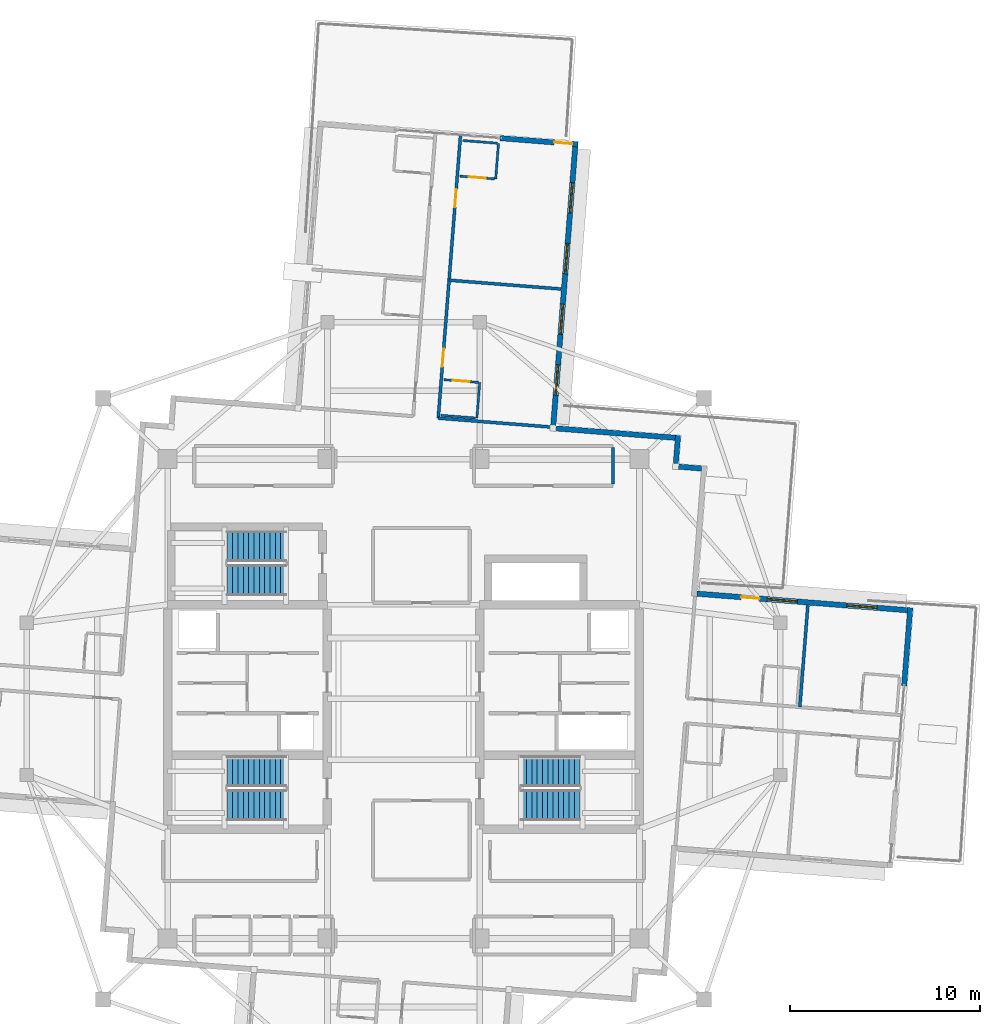
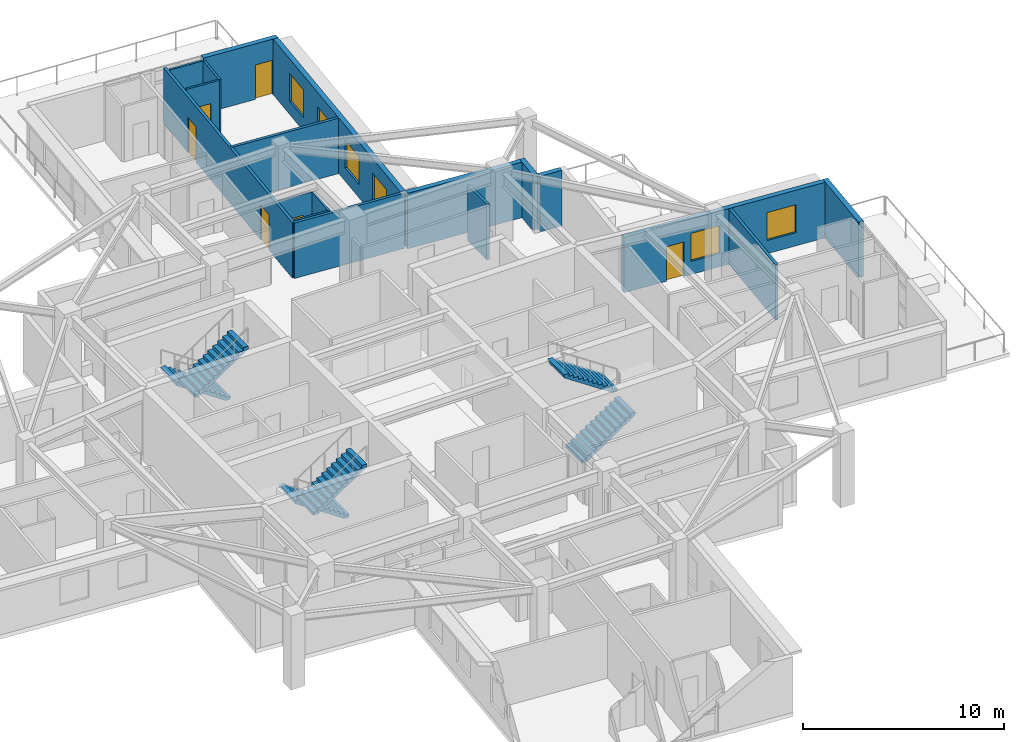
# One storey, part 18 of 23: 18 walls, 6 doors, 6 stair flights, 6 windows, 12 openings, 3 elements without a shape of their own.
"""IFC4 building model written with IfcOpenShell, lengths in metres."""

from ifc_helpers import new_model, si_unit, direction, frame, frame_2d, origin, place, context, subcontext, project, spatial, polyline, rectangle, outline, extrude, material, layer, layer_set, type_object, element, fill, aggregate, save


model = new_model("IFC4")

# Units and contexts
model_context = context("Model", 3, precision=1e-05, world=origin(), true_north=direction((0.0, 1.0)))
body_context = subcontext(model_context, "Body", "Model", "MODEL_VIEW")
ifc_project = project(units=[si_unit("LENGTHUNIT", "METRE"), si_unit("AREAUNIT", "SQUARE_METRE"), si_unit("VOLUMEUNIT", "CUBIC_METRE"), si_unit("PLANEANGLEUNIT", "RADIAN"), si_unit("MASSUNIT", "GRAM", prefix="KILO")], contexts=[model_context])

# Site, building, storey
site_placement = place(None, origin())
site = spatial("IfcSite", under=ifc_project, at=site_placement, CompositionType="ELEMENT")
building_placement = place(site_placement, origin())
building = spatial("IfcBuilding", under=site, at=building_placement, Name="Qingluan Cross Belvedere", CompositionType="ELEMENT")
storey_placement = place(building_placement, frame((0.0, 0.0, 245.39990234375)))
storey = spatial("IfcBuildingStorey", under=building, at=storey_placement, Name="L61", CompositionType="ELEMENT", Elevation=245.39990234375)

# Walls
ifc_material_1 = material(Name="Gypsum plasterboard on steel stud acoustic partition", Category="steel")
ifc_layer_1 = layer(ifc_material_1, 0.159912109375, Name="CorridorPartition_160")
ifc_layer_set_1 = layer_set([ifc_layer_1], Name="Gypsum plasterboard on steel stud acoustic partition")
wall_type_1 = type_object("IfcWallType", Name="CorridorPartition_160", PredefinedType="PARTITIONING", material=ifc_layer_set_1)
wall_1_placement = place(storey_placement, frame((11.0, 11.284912109375, 0.0), z_axis=(0.0, 0.0, 1.0), x_axis=(0.0, 1.0, 0.0)))
element("IfcWall", 1, at=wall_1_placement, inside=storey, type_object=wall_type_1, Name="Partition L61:q_ne:E", PredefinedType="PARTITIONING", context=body_context, shape_type="SweptSolid", body=[
    extrude(rectangle(XDim=1.93017578125, YDim=0.159912109375, at=frame_2d((0.965087890625, 0.0))), origin(), (0.0, 0.0, 1.0), 3.3701171875),
])
wall_2_placement = place(storey_placement, frame((20.830078125, -0.435546875, 0.0), z_axis=(0.0, 0.0, 1.0), x_axis=(0.078440999993, 0.996918757733, 0.0)))
element("IfcWall", 2, at=wall_2_placement, inside=storey, type_object=wall_type_1, Name="Partition L61:E:d0_0", PredefinedType="PARTITIONING", context=body_context, shape_type="SweptSolid", body=[
    extrude(rectangle(XDim=5.3720703125, YDim=0.159912109375, at=frame_2d((2.68603515625, 0.0))), origin(), (0.0, 0.0, 1.0), 3.3701171875),
])

# Wall, openings, doors
wall_3_placement = place(storey_placement, frame((1.822998046875, 14.75244140625, 0.0), z_axis=(0.0, 0.0, 1.0), x_axis=(0.078458290353, 0.996917397117, 0.0)))
wall_3 = element("IfcWall", 3, at=wall_3_placement, inside=storey, type_object=wall_type_1, Name="Partition L61:N:c0", PredefinedType="PARTITIONING", context=body_context, shape_type="SweptSolid", body=[
    extrude(rectangle(XDim=14.93017578125, YDim=0.159912109375, at=frame_2d((7.465087890625, 0.0))), origin(), (0.0, 0.0, 1.0), 3.3701171875),
])
opening_1_placement = place(wall_3_placement, frame((2.70703125, 0.0, 0.0)))
opening_1 = element("IfcOpeningElement", 4, at=opening_1_placement, cuts=wall_3, Name="Opening GD-10", PredefinedType="OPENING", context=body_context, shape_type="SweptSolid", body=[
    extrude(rectangle(XDim=0.9599609375, YDim=2.14990234375, at=frame_2d((0.47998046875, 1.074951171875))), frame((0.0, 0.08984375, 0.0), z_axis=(0.0, -1.0, 0.0), x_axis=(1.0, 0.0, 0.0)), (0.0, 0.0, 1.0), 0.179931640625),
])
opening_2_placement = place(wall_3_placement, frame((11.115966796875, 0.0, 0.0)))
opening_2 = element("IfcOpeningElement", 5, at=opening_2_placement, cuts=wall_3, Name="Opening GD-10", PredefinedType="OPENING", context=body_context, shape_type="SweptSolid", body=[
    extrude(rectangle(XDim=0.9599609375, YDim=2.14990234375, at=frame_2d((0.47998046875, 1.074951171875))), frame((0.0, 0.08984375, 0.0), z_axis=(0.0, -1.0, 0.0), x_axis=(1.0, 0.0, 0.0)), (0.0, 0.0, 1.0), 0.179931640625),
])
ifc_material_2 = material(Name="Timber oak fire-rated acoustic guestroom door", Category="wood")
door_type_1 = type_object("IfcDoorType", Name="GuestEntryDoor_FD60", OperationType="NOTDEFINED", PredefinedType="DOOR", material=ifc_material_2)
door_1_placement = place(opening_1_placement, origin())
door_1 = element("IfcDoor", 6, at=door_1_placement, inside=storey, type_object=door_type_1, Name="Guest entry fire door 6109", OperationType="SINGLE_SWING_RIGHT", OverallHeight=2.14990234375, OverallWidth=0.9599609375, PredefinedType="DOOR", context=body_context, shape_type="SweptSolid", body=[
    extrude(rectangle(XDim=0.9599609375, YDim=2.14990234375, at=frame_2d((0.47998046875, 1.074951171875))), frame((0.0, 0.02490234375, 0.0), z_axis=(0.0, -1.0, 0.0), x_axis=(1.0, 0.0, 0.0)), (0.0, 0.0, 1.0), 0.050048828125),
])
fill(opening_1, door_1)
door_2_placement = place(opening_2_placement, origin())
door_2 = element("IfcDoor", 7, at=door_2_placement, inside=storey, type_object=door_type_1, Name="Guest entry fire door 6110", OperationType="SINGLE_SWING_RIGHT", OverallHeight=2.14990234375, OverallWidth=0.9599609375, PredefinedType="DOOR", context=body_context, shape_type="SweptSolid", body=[
    extrude(rectangle(XDim=0.9599609375, YDim=2.14990234375, at=frame_2d((0.47998046875, 1.074951171875))), frame((0.0, 0.02490234375, 0.0), z_axis=(0.0, -1.0, 0.0), x_axis=(1.0, 0.0, 0.0)), (0.0, 0.0, 1.0), 0.050048828125),
])
fill(opening_2, door_2)

# Walls
wall_4_placement = place(storey_placement, frame((1.822998046875, 14.75244140625, 0.0), z_axis=(0.0, 0.0, 1.0), x_axis=(0.996919074253, -0.078436977191, 0.0)))
element("IfcWall", 8, at=wall_4_placement, inside=storey, type_object=wall_type_1, Name="Partition L61:N:s0", PredefinedType="PARTITIONING", context=body_context, shape_type="SweptSolid", body=[
    extrude(rectangle(XDim=6.06005859375, YDim=0.159912109375, at=frame_2d((3.030029296875, 0.0))), origin(), (0.0, 0.0, 1.0), 3.3701171875),
])
wall_5_placement = place(storey_placement, frame((2.393798828125, 22.00390625, 0.0), z_axis=(0.0, 0.0, 1.0), x_axis=(0.996920362457, -0.078420602639, 0.0)))
element("IfcWall", 9, at=wall_5_placement, inside=storey, type_object=wall_type_1, Name="Partition L61:N:d0_0", PredefinedType="PARTITIONING", context=body_context, shape_type="SweptSolid", body=[
    extrude(rectangle(XDim=5.912109375, YDim=0.159912109375, at=frame_2d((2.9560546875, 0.0))), origin(), (0.0, 0.0, 1.0), 3.3701171875),
])

# Wall, opening, door
ifc_material_3 = material(Name="Moisture-resistant gypsum board lining")
ifc_layer_2 = layer(ifc_material_3, 0.1201171875, Name="EnsuiteWetPartition_120")
ifc_layer_set_2 = layer_set([ifc_layer_2], Name="Moisture-resistant gypsum board lining")
wall_type_2 = type_object("IfcWallType", Name="EnsuiteWetPartition_120", PredefinedType="PARTITIONING", material=ifc_layer_set_2)
wall_6_placement = place(storey_placement, frame((2.122802734375, 16.775146484375, 0.0), z_axis=(0.0, 0.0, 1.0), x_axis=(0.996915574626, -0.078481444107, 0.0)))
wall_6 = element("IfcWall", 10, at=wall_6_placement, inside=storey, type_object=wall_type_2, Name="Partition L61:N:bs0_0", PredefinedType="PARTITIONING", context=body_context, shape_type="SweptSolid", body=[
    extrude(rectangle(XDim=1.81982421875, YDim=0.1201171875, at=frame_2d((0.909912109375, 0.0))), origin(), (0.0, 0.0, 1.0), 3.3701171875),
])
opening_3_placement = place(wall_6_placement, frame((0.469970703125, 0.0, 0.0)))
opening_3 = element("IfcOpeningElement", 11, at=opening_3_placement, cuts=wall_6, Name="Opening BD-09", PredefinedType="OPENING", context=body_context, shape_type="SweptSolid", body=[
    extrude(rectangle(XDim=0.8798828125, YDim=2.10009765625, at=frame_2d((0.43994140625, 1.050048828125))), frame((0.0, 0.070068359375, 0.0), z_axis=(0.0, -1.0, 0.0), x_axis=(1.0, 0.0, 0.0)), (0.0, 0.0, 1.0), 0.14013671875),
])
ifc_material_4 = material(Name="Moisture-sealed timber en-suite door", Category="wood")
door_type_2 = type_object("IfcDoorType", Name="BathroomDoor_880", OperationType="NOTDEFINED", PredefinedType="DOOR", material=ifc_material_4)
door_3_placement = place(opening_3_placement, origin())
door_3 = element("IfcDoor", 12, at=door_3_placement, inside=storey, type_object=door_type_2, Name="Bathroom door 6109", OperationType="SINGLE_SWING_LEFT", OverallHeight=2.10009765625, OverallWidth=0.8798828125, PredefinedType="DOOR", context=body_context, shape_type="SweptSolid", body=[
    extrude(rectangle(XDim=0.8798828125, YDim=2.10009765625, at=frame_2d((0.43994140625, 1.050048828125))), frame((0.0, 0.02490234375, 0.0), z_axis=(0.0, -1.0, 0.0), x_axis=(1.0, 0.0, 0.0)), (0.0, 0.0, 1.0), 0.050048828125),
])
fill(opening_3, door_3)

# Walls
wall_7_placement = place(storey_placement, frame((1.97509765625, 14.90087890625, 0.0), z_axis=(0.0, 0.0, 1.0), x_axis=(0.996926885478, -0.078337634704, 0.0)))
element("IfcWall", 13, at=wall_7_placement, inside=storey, type_object=wall_type_2, Name="Partition L61:N:bw0_0", PredefinedType="PARTITIONING", context=body_context, shape_type="SweptSolid", body=[
    extrude(rectangle(XDim=1.820068359375, YDim=0.1201171875, at=frame_2d((0.91015625, 0.0))), origin(), (0.0, 0.0, 1.0), 3.3701171875),
])
wall_8_placement = place(storey_placement, frame((3.8544921875, 14.753173828125, 0.0), z_axis=(0.0, 0.0, 1.0), x_axis=(0.078444342213, 0.99691849475, 0.0)))
element("IfcWall", 14, at=wall_8_placement, inside=storey, type_object=wall_type_2, Name="Partition L61:N:bn0_0", PredefinedType="PARTITIONING", context=body_context, shape_type="SweptSolid", body=[
    extrude(rectangle(XDim=1.8798828125, YDim=0.1201171875, at=frame_2d((0.93994140625, 0.0))), origin(), (0.0, 0.0, 1.0), 3.3701171875),
])

# Wall, opening, door
wall_9_placement = place(storey_placement, frame((2.964599609375, 27.47216796875, 0.0), z_axis=(0.0, 0.0, 1.0), x_axis=(0.996916400774, -0.0784709492, 0.0)))
wall_9 = element("IfcWall", 15, at=wall_9_placement, inside=storey, type_object=wall_type_2, Name="Partition L61:N:bs0_1", PredefinedType="PARTITIONING", context=body_context, shape_type="SweptSolid", body=[
    extrude(rectangle(XDim=1.820068359375, YDim=0.1201171875, at=frame_2d((0.91015625, 0.0))), origin(), (0.0, 0.0, 1.0), 3.3701171875),
])
opening_4_placement = place(wall_9_placement, frame((0.469970703125, 0.0, 0.0)))
opening_4 = element("IfcOpeningElement", 16, at=opening_4_placement, cuts=wall_9, Name="Opening BD-09", PredefinedType="OPENING", context=body_context, shape_type="SweptSolid", body=[
    extrude(rectangle(XDim=0.8798828125, YDim=2.10009765625, at=frame_2d((0.43994140625, 1.050048828125))), frame((0.0, 0.070068359375, 0.0), z_axis=(0.0, -1.0, 0.0), x_axis=(1.0, 0.0, 0.0)), (0.0, 0.0, 1.0), 0.14013671875),
])
door_4_placement = place(opening_4_placement, origin())
door_4 = element("IfcDoor", 17, at=door_4_placement, inside=storey, type_object=door_type_2, Name="Bathroom door 6110", OperationType="SINGLE_SWING_LEFT", OverallHeight=2.10009765625, OverallWidth=0.8798828125, PredefinedType="DOOR", context=body_context, shape_type="SweptSolid", body=[
    extrude(rectangle(XDim=0.8798828125, YDim=2.10009765625, at=frame_2d((0.43994140625, 1.050048828125))), frame((0.0, 0.02490234375, 0.0), z_axis=(0.0, -1.0, 0.0), x_axis=(1.0, 0.0, 0.0)), (0.0, 0.0, 1.0), 0.050048828125),
])
fill(opening_4, door_4)

# Walls
wall_10_placement = place(storey_placement, frame((3.112060546875, 29.34619140625, 0.0), z_axis=(0.0, 0.0, 1.0), x_axis=(0.996926885478, -0.078337634704, 0.0)))
element("IfcWall", 18, at=wall_10_placement, inside=storey, type_object=wall_type_2, Name="Partition L61:N:bw0_1", PredefinedType="PARTITIONING", context=body_context, shape_type="SweptSolid", body=[
    extrude(rectangle(XDim=1.820068359375, YDim=0.1201171875, at=frame_2d((0.91015625, 0.0))), origin(), (0.0, 0.0, 1.0), 3.3701171875),
])
wall_11_placement = place(storey_placement, frame((4.84375, 27.32421875, 0.0), z_axis=(0.0, 0.0, 1.0), x_axis=(0.07843418698, 0.996919293781, 0.0)))
element("IfcWall", 19, at=wall_11_placement, inside=storey, type_object=wall_type_2, Name="Partition L61:N:bn0_1", PredefinedType="PARTITIONING", context=body_context, shape_type="SweptSolid", body=[
    extrude(rectangle(XDim=1.880126953125, YDim=0.1201171875, at=frame_2d((0.93994140625, 0.0))), origin(), (0.0, 0.0, 1.0), 3.3701171875),
])

# Wall, openings, windows, door
ifc_material_5 = material(Name="Precast concrete C45", Category="concrete")
ifc_layer_3 = layer(ifc_material_5, 0.280029296875, Name="PrecastFacadeWall_280")
ifc_layer_set_3 = layer_set([ifc_layer_3], Name="Precast concrete C45")
wall_type_3 = type_object("IfcWallType", Name="PrecastFacadeWall_280", PredefinedType="STANDARD", material=ifc_layer_set_3)
wall_12_placement = place(storey_placement, frame((26.487060546875, 4.65625, 0.0), z_axis=(0.0, 0.0, 1.0), x_axis=(-0.996917735529, 0.078453990262, 0.0)))
wall_12 = element("IfcWall", 20, at=wall_12_placement, inside=storey, type_object=wall_type_3, Name="Facade wall L61-EB", PredefinedType="STANDARD", context=body_context, shape_type="SweptSolid", body=[
    extrude(rectangle(XDim=11.10009765625, YDim=0.280029296875, at=frame_2d((5.550048828125, 0.0))), origin(), (0.0, 0.0, 1.0), 3.380126953125),
])
opening_5_placement = place(wall_12_placement, frame((1.60009765625, 0.0, 0.800048828125)))
opening_5 = element("IfcOpeningElement", 21, at=opening_5_placement, cuts=wall_12, Name="Opening W-04", PredefinedType="OPENING", context=body_context, shape_type="SweptSolid", body=[
    extrude(rectangle(XDim=1.60009765625, YDim=1.699951171875, at=frame_2d((0.800048828125, 0.85009765625))), frame((0.0, 0.14990234375, 0.0), z_axis=(0.0, -1.0, 0.0), x_axis=(1.0, 0.0, 0.0)), (0.0, 0.0, 1.0), 0.300048828125),
])
opening_6_placement = place(wall_12_placement, frame((5.800048828125, 0.0, 0.800048828125)))
opening_6 = element("IfcOpeningElement", 22, at=opening_6_placement, cuts=wall_12, Name="Opening W-04", PredefinedType="OPENING", context=body_context, shape_type="SweptSolid", body=[
    extrude(rectangle(XDim=1.60009765625, YDim=1.699951171875, at=frame_2d((0.800048828125, 0.85009765625))), frame((0.0, 0.14990234375, 0.0), z_axis=(0.0, -1.0, 0.0), x_axis=(1.0, 0.0, 0.0)), (0.0, 0.0, 1.0), 0.300048828125),
])
opening_7_placement = place(wall_12_placement, frame((7.800048828125, 0.0, 0.0)))
opening_7 = element("IfcOpeningElement", 23, at=opening_7_placement, cuts=wall_12, Name="Opening WD-10", PredefinedType="OPENING", context=body_context, shape_type="SweptSolid", body=[
    extrude(rectangle(XDim=0.9599609375, YDim=2.10009765625, at=frame_2d((0.47998046875, 1.050048828125))), frame((0.0, 0.14990234375, 0.0), z_axis=(0.0, -1.0, 0.0), x_axis=(1.0, 0.0, 0.0)), (0.0, 0.0, 1.0), 0.300048828125),
])
ifc_material_6 = material(Name="Thermally broken triple Low-E glass in aluminium frame", Category="aluminium")
window_type = type_object("IfcWindowType", Name="SuiteCornerWin_1600x1700", PartitioningType="SINGLE_PANEL", PredefinedType="WINDOW", material=ifc_material_6)
window_1_placement = place(opening_5_placement, origin())
window_1 = element("IfcWindow", 24, at=window_1_placement, inside=storey, type_object=window_type, Name="Ribbon window L61-EB-1", OverallHeight=1.699951171875, OverallWidth=1.60009765625, PartitioningType="SINGLE_PANEL", PredefinedType="WINDOW", context=body_context, shape_type="SweptSolid", body=[
    extrude(rectangle(XDim=1.60009765625, YDim=1.699951171875, at=frame_2d((0.800048828125, 0.85009765625))), frame((0.0, 0.030029296875, 0.0), z_axis=(0.0, -1.0, 0.0), x_axis=(1.0, 0.0, 0.0)), (0.0, 0.0, 1.0), 0.06005859375),
])
fill(opening_5, window_1)
window_2_placement = place(opening_6_placement, origin())
window_2 = element("IfcWindow", 25, at=window_2_placement, inside=storey, type_object=window_type, Name="Ribbon window L61-EB-2", OverallHeight=1.699951171875, OverallWidth=1.60009765625, PartitioningType="SINGLE_PANEL", PredefinedType="WINDOW", context=body_context, shape_type="SweptSolid", body=[
    extrude(rectangle(XDim=1.60009765625, YDim=1.699951171875, at=frame_2d((0.800048828125, 0.85009765625))), frame((0.0, 0.030029296875, 0.0), z_axis=(0.0, -1.0, 0.0), x_axis=(1.0, 0.0, 0.0)), (0.0, 0.0, 1.0), 0.06005859375),
])
fill(opening_6, window_2)
ifc_material_7 = material(Name="Thermally broken aluminium and Low-E glass", Category="aluminium")
door_type_3 = type_object("IfcDoorType", Name="WinterGardenDoor_096", OperationType="NOTDEFINED", PredefinedType="DOOR", material=ifc_material_7)
door_5_placement = place(opening_7_placement, origin())
door_5 = element("IfcDoor", 26, at=door_5_placement, inside=storey, type_object=door_type_3, Name="Outdoor terrace access door L61-spi", OperationType="SINGLE_SWING_RIGHT", OverallHeight=2.10009765625, OverallWidth=0.9599609375, PredefinedType="DOOR", context=body_context, shape_type="SweptSolid", body=[
    extrude(rectangle(XDim=0.9599609375, YDim=2.10009765625, at=frame_2d((0.47998046875, 1.050048828125))), frame((0.0, 0.02490234375, 0.0), z_axis=(0.0, -1.0, 0.0), x_axis=(1.0, 0.0, 0.0)), (0.0, 0.0, 1.0), 0.050048828125),
])
fill(opening_7, door_5)

# Wall
wall_13_placement = place(storey_placement, frame((26.314697265625, 0.681396484375, 0.0), z_axis=(0.0, 0.0, 1.0), x_axis=(0.078410859845, 0.996921128805, 0.0)))
element("IfcWall", 27, at=wall_13_placement, inside=storey, type_object=wall_type_3, Name="Terrace portal jamb wall L61-E2", PredefinedType="STANDARD", context=body_context, shape_type="SweptSolid", body=[
    extrude(rectangle(XDim=4.1162109375, YDim=0.280029296875, at=frame_2d((2.05810546875, 0.0))), origin(), (0.0, 0.0, 1.0), 3.380126953125),
])

# Wall, openings, windows
wall_14_placement = place(storey_placement, frame((7.87158203125, 14.36669921875, 0.0), z_axis=(0.0, 0.0, 1.0), x_axis=(0.078456642068, 0.996917526837, 0.0)))
wall_14 = element("IfcWall", 28, at=wall_14_placement, inside=storey, type_object=wall_type_3, Name="Facade wall L61-NA", PredefinedType="STANDARD", context=body_context, shape_type="SweptSolid", body=[
    extrude(rectangle(XDim=14.7001953125, YDim=0.280029296875, at=frame_2d((7.35009765625, 0.0))), origin(), (0.0, 0.0, 1.0), 3.380126953125),
])
opening_8_placement = place(wall_14_placement, frame((1.60009765625, 0.0, 0.800048828125)))
opening_8 = element("IfcOpeningElement", 29, at=opening_8_placement, cuts=wall_14, Name="Opening W-04", PredefinedType="OPENING", context=body_context, shape_type="SweptSolid", body=[
    extrude(rectangle(XDim=1.60009765625, YDim=1.699951171875, at=frame_2d((0.800048828125, 0.85009765625))), frame((0.0, 0.14990234375, 0.0), z_axis=(0.0, -1.0, 0.0), x_axis=(1.0, 0.0, 0.0)), (0.0, 0.0, 1.0), 0.300048828125),
])
opening_9_placement = place(wall_14_placement, frame((4.800048828125, 0.0, 0.800048828125)))
opening_9 = element("IfcOpeningElement", 30, at=opening_9_placement, cuts=wall_14, Name="Opening W-04", PredefinedType="OPENING", context=body_context, shape_type="SweptSolid", body=[
    extrude(rectangle(XDim=1.60009765625, YDim=1.699951171875, at=frame_2d((0.800048828125, 0.85009765625))), frame((0.0, 0.14990234375, 0.0), z_axis=(0.0, -1.0, 0.0), x_axis=(1.0, 0.0, 0.0)), (0.0, 0.0, 1.0), 0.300048828125),
])
opening_10_placement = place(wall_14_placement, frame((8.0, 0.0, 0.800048828125)))
opening_10 = element("IfcOpeningElement", 31, at=opening_10_placement, cuts=wall_14, Name="Opening W-04", PredefinedType="OPENING", context=body_context, shape_type="SweptSolid", body=[
    extrude(rectangle(XDim=1.60009765625, YDim=1.699951171875, at=frame_2d((0.800048828125, 0.85009765625))), frame((0.0, 0.14990234375, 0.0), z_axis=(0.0, -1.0, 0.0), x_axis=(1.0, 0.0, 0.0)), (0.0, 0.0, 1.0), 0.300048828125),
])
opening_11_placement = place(wall_14_placement, frame((11.199951171875, 0.0, 0.800048828125)))
opening_11 = element("IfcOpeningElement", 32, at=opening_11_placement, cuts=wall_14, Name="Opening W-04", PredefinedType="OPENING", context=body_context, shape_type="SweptSolid", body=[
    extrude(rectangle(XDim=1.60009765625, YDim=1.699951171875, at=frame_2d((0.800048828125, 0.85009765625))), frame((0.0, 0.14990234375, 0.0), z_axis=(0.0, -1.0, 0.0), x_axis=(1.0, 0.0, 0.0)), (0.0, 0.0, 1.0), 0.300048828125),
])
window_3_placement = place(opening_8_placement, origin())
window_3 = element("IfcWindow", 33, at=window_3_placement, inside=storey, type_object=window_type, Name="Ribbon window L61-NA-1", OverallHeight=1.699951171875, OverallWidth=1.60009765625, PartitioningType="SINGLE_PANEL", PredefinedType="WINDOW", context=body_context, shape_type="SweptSolid", body=[
    extrude(rectangle(XDim=1.60009765625, YDim=1.699951171875, at=frame_2d((0.800048828125, 0.85009765625))), frame((0.0, 0.030029296875, 0.0), z_axis=(0.0, -1.0, 0.0), x_axis=(1.0, 0.0, 0.0)), (0.0, 0.0, 1.0), 0.06005859375),
])
fill(opening_8, window_3)
window_4_placement = place(opening_9_placement, origin())
window_4 = element("IfcWindow", 34, at=window_4_placement, inside=storey, type_object=window_type, Name="Ribbon window L61-NA-2", OverallHeight=1.699951171875, OverallWidth=1.60009765625, PartitioningType="SINGLE_PANEL", PredefinedType="WINDOW", context=body_context, shape_type="SweptSolid", body=[
    extrude(rectangle(XDim=1.60009765625, YDim=1.699951171875, at=frame_2d((0.800048828125, 0.85009765625))), frame((0.0, 0.030029296875, 0.0), z_axis=(0.0, -1.0, 0.0), x_axis=(1.0, 0.0, 0.0)), (0.0, 0.0, 1.0), 0.06005859375),
])
fill(opening_9, window_4)
window_5_placement = place(opening_10_placement, origin())
window_5 = element("IfcWindow", 35, at=window_5_placement, inside=storey, type_object=window_type, Name="Ribbon window L61-NA-3", OverallHeight=1.699951171875, OverallWidth=1.60009765625, PartitioningType="SINGLE_PANEL", PredefinedType="WINDOW", context=body_context, shape_type="SweptSolid", body=[
    extrude(rectangle(XDim=1.60009765625, YDim=1.699951171875, at=frame_2d((0.800048828125, 0.85009765625))), frame((0.0, 0.030029296875, 0.0), z_axis=(0.0, -1.0, 0.0), x_axis=(1.0, 0.0, 0.0)), (0.0, 0.0, 1.0), 0.06005859375),
])
fill(opening_10, window_5)
window_6_placement = place(opening_11_placement, origin())
window_6 = element("IfcWindow", 36, at=window_6_placement, inside=storey, type_object=window_type, Name="Ribbon window L61-NA-4", OverallHeight=1.699951171875, OverallWidth=1.60009765625, PartitioningType="SINGLE_PANEL", PredefinedType="WINDOW", context=body_context, shape_type="SweptSolid", body=[
    extrude(rectangle(XDim=1.60009765625, YDim=1.699951171875, at=frame_2d((0.800048828125, 0.85009765625))), frame((0.0, 0.030029296875, 0.0), z_axis=(0.0, -1.0, 0.0), x_axis=(1.0, 0.0, 0.0)), (0.0, 0.0, 1.0), 0.06005859375),
])
fill(opening_11, window_6)

# Wall, opening, door
wall_15_placement = place(storey_placement, frame((9.17529296875, 29.14990234375, 0.0), z_axis=(0.0, 0.0, 1.0), x_axis=(-0.996916125428, 0.078474447191, 0.0)))
wall_15 = element("IfcWall", 37, at=wall_15_placement, inside=storey, type_object=wall_type_3, Name="Terrace portal jamb wall L61-N1", PredefinedType="STANDARD", context=body_context, shape_type="SweptSolid", body=[
    extrude(rectangle(XDim=4.115966796875, YDim=0.280029296875, at=frame_2d((2.05810546875, 0.0))), origin(), (0.0, 0.0, 1.0), 3.380126953125),
])
opening_12_placement = place(wall_15_placement, frame((0.300048828125, 0.0, 0.0)))
opening_12 = element("IfcOpeningElement", 38, at=opening_12_placement, cuts=wall_15, Name="Opening TD-10", PredefinedType="OPENING", context=body_context, shape_type="SweptSolid", body=[
    extrude(rectangle(XDim=0.9599609375, YDim=2.10009765625, at=frame_2d((0.47998046875, 1.050048828125))), frame((0.0, 0.14990234375, 0.0), z_axis=(0.0, -1.0, 0.0), x_axis=(1.0, 0.0, 0.0)), (0.0, 0.0, 1.0), 0.300048828125),
])
ifc_material_8 = material(Name="Thermally broken aluminium and Low-E glass", Category="aluminium")
door_type_4 = type_object("IfcDoorType", Name="SetbackTerraceDoor_096", OperationType="NOTDEFINED", PredefinedType="DOOR", material=ifc_material_8)
door_6_placement = place(opening_12_placement, origin())
door_6 = element("IfcDoor", 39, at=door_6_placement, inside=storey, type_object=door_type_4, Name="Outdoor terrace access door L61-set2", OperationType="SINGLE_SWING_LEFT", OverallHeight=2.10009765625, OverallWidth=0.9599609375, PredefinedType="DOOR", context=body_context, shape_type="SweptSolid", body=[
    extrude(rectangle(XDim=0.9599609375, YDim=2.10009765625, at=frame_2d((0.47998046875, 1.050048828125))), frame((0.0, 0.02490234375, 0.0), z_axis=(0.0, -1.0, 0.0), x_axis=(1.0, 0.0, 0.0)), (0.0, 0.0, 1.0), 0.050048828125),
])
fill(opening_12, door_6)

# Walls
wall_16_placement = place(storey_placement, frame((15.658203125, 12.10888671875, 0.0), z_axis=(0.0, 0.0, 1.0), x_axis=(-0.996917540398, 0.078456469752, 0.0)))
element("IfcWall", 40, at=wall_16_placement, inside=storey, type_object=wall_type_3, Name="Corner wall L61-NE2", PredefinedType="STANDARD", context=body_context, shape_type="SweptSolid", body=[
    extrude(rectangle(XDim=1.2197265625, YDim=0.280029296875, at=frame_2d((0.60986328125, 0.0))), origin(), (0.0, 0.0, 1.0), 3.380126953125),
])
wall_17_placement = place(storey_placement, frame((14.3134765625, 12.35498046875, 0.0), z_axis=(0.0, 0.0, 1.0), x_axis=(0.078451338629, 0.9969179442, 0.0)))
element("IfcWall", 41, at=wall_17_placement, inside=storey, type_object=wall_type_3, Name="Corner wall L61-NE3", PredefinedType="STANDARD", context=body_context, shape_type="SweptSolid", body=[
    extrude(rectangle(XDim=1.5, YDim=0.280029296875, at=frame_2d((0.75, 0.0))), origin(), (0.0, 0.0, 1.0), 3.380126953125),
])
wall_18_placement = place(storey_placement, frame((14.280517578125, 13.721923828125, 0.0), z_axis=(0.0, 0.0, 1.0), x_axis=(-0.99691915642, 0.078435932851, 0.0)))
element("IfcWall", 42, at=wall_18_placement, inside=storey, type_object=wall_type_3, Name="Corner wall L61-NE4", PredefinedType="STANDARD", context=body_context, shape_type="SweptSolid", body=[
    extrude(rectangle(XDim=6.2998046875, YDim=0.280029296875, at=frame_2d((3.14990234375, 0.0))), origin(), (0.0, 0.0, 1.0), 3.380126953125),
])

# Stair, stair flights
ifc_material_9 = material(Name="Concrete C40", Category="concrete")
stair_type = type_object("IfcStairType", Name="CoreDoglegStair_1620", PredefinedType="HALF_TURN_STAIR", material=ifc_material_9)
stair_1_placement = place(storey_placement, origin())
stair_1 = element("IfcStair", 43, at=stair_1_placement, inside=storey, type_object=stair_type, Name="L61 ST1", PredefinedType="HALF_TURN_STAIR")
ifc_material_10 = material(Name="Concrete C40", Category="concrete")
ifc_layer_4 = layer(ifc_material_10, 0.179931640625, Name="StairFlight_RC180")
ifc_layer_set_4 = layer_set([ifc_layer_4], Name="Concrete C40")
stair_flight_type = type_object("IfcStairFlightType", Name="StairFlight_RC180", PredefinedType="STRAIGHT", material=ifc_layer_set_4)
stair_flight_1_placement = place(storey_placement, frame((-6.179931640625, -3.81005859375, 0.0), z_axis=(0.0, 0.0, 1.0), x_axis=(-1.0, 0.0, 0.0)))
stair_flight_1 = element("IfcStairFlight", 44, at=stair_flight_1_placement, type_object=stair_flight_type, Name="ST1 flight 1", NumberOfRisers=12, NumberOfTreads=11, PredefinedType="STRAIGHT", RiserHeight=0.1875, TreadLength=0.28, context=body_context, shape_type="SweptSolid", body=[
    extrude(outline(polyline([(0.0, 0.0), (0.0, 0.1875), (0.280029296875, 0.1875), (0.280029296875, 0.375), (0.56005859375, 0.375), (0.56005859375, 0.5625), (0.840087890625, 0.5625), (0.840087890625, 0.75), (1.1201171875, 0.75), (1.1201171875, 0.9375), (1.39990234375, 0.9375), (1.39990234375, 1.125), (1.679931640625, 1.125), (1.679931640625, 1.3125), (1.9599609375, 1.3125), (1.9599609375, 1.5), (2.239990234375, 1.5), (2.239990234375, 1.6875), (2.52001953125, 1.6875), (2.52001953125, 1.875), (2.800048828125, 1.875), (2.800048828125, 2.0625), (3.080078125, 2.0625), (3.080078125, 2.25), (3.080078125, 1.882080078125), (0.26953125, 0.0), (0.0, 0.0)])), frame((0.0, 0.81005859375, 0.0), z_axis=(0.0, -1.0, 0.0), x_axis=(1.0, 0.0, 0.0)), (0.0, 0.0, 1.0), 1.6201171875),
])
stair_flight_2_placement = place(storey_placement, frame((-9.260009765625, -5.590087890625, 2.25), z_axis=(0.0, 0.0, 1.0), x_axis=(1.0, 0.0, 0.0)))
stair_flight_2 = element("IfcStairFlight", 45, at=stair_flight_2_placement, type_object=stair_flight_type, Name="ST1 flight 2", NumberOfRisers=12, NumberOfTreads=11, PredefinedType="STRAIGHT", RiserHeight=0.1875, TreadLength=0.28, context=body_context, shape_type="SweptSolid", body=[
    extrude(outline(polyline([(0.0, 0.0), (0.0, 0.1875), (0.280029296875, 0.1875), (0.280029296875, 0.375), (0.56005859375, 0.375), (0.56005859375, 0.5625), (0.840087890625, 0.5625), (0.840087890625, 0.75), (1.1201171875, 0.75), (1.1201171875, 0.9375), (1.39990234375, 0.9375), (1.39990234375, 1.125), (1.679931640625, 1.125), (1.679931640625, 1.3125), (1.9599609375, 1.3125), (1.9599609375, 1.5), (2.239990234375, 1.5), (2.239990234375, 1.6875), (2.52001953125, 1.6875), (2.52001953125, 1.875), (2.800048828125, 1.875), (2.800048828125, 2.0625), (3.080078125, 2.0625), (3.080078125, 2.25), (3.080078125, 1.882080078125), (0.26953125, 0.0), (0.0, 0.0)])), frame((0.0, 0.81005859375, 0.0), z_axis=(0.0, -1.0, 0.0), x_axis=(1.0, 0.0, 0.0)), (0.0, 0.0, 1.0), 1.6201171875),
])
aggregate(stair_1, [stair_flight_1, stair_flight_2])

stair_2_placement = place(storey_placement, origin())
stair_2 = element("IfcStair", 46, at=stair_2_placement, inside=storey, type_object=stair_type, Name="L61 ST2", PredefinedType="HALF_TURN_STAIR")
stair_flight_3_placement = place(storey_placement, frame((6.179931640625, -5.590087890625, 0.0), z_axis=(0.0, 0.0, 1.0), x_axis=(1.0, 0.0, 0.0)))
stair_flight_3 = element("IfcStairFlight", 47, at=stair_flight_3_placement, type_object=stair_flight_type, Name="ST2 flight 1", NumberOfRisers=12, NumberOfTreads=11, PredefinedType="STRAIGHT", RiserHeight=0.1875, TreadLength=0.28, context=body_context, shape_type="SweptSolid", body=[
    extrude(outline(polyline([(0.0, 0.0), (0.0, 0.1875), (0.280029296875, 0.1875), (0.280029296875, 0.375), (0.56005859375, 0.375), (0.56005859375, 0.5625), (0.840087890625, 0.5625), (0.840087890625, 0.75), (1.1201171875, 0.75), (1.1201171875, 0.9375), (1.39990234375, 0.9375), (1.39990234375, 1.125), (1.679931640625, 1.125), (1.679931640625, 1.3125), (1.9599609375, 1.3125), (1.9599609375, 1.5), (2.239990234375, 1.5), (2.239990234375, 1.6875), (2.52001953125, 1.6875), (2.52001953125, 1.875), (2.800048828125, 1.875), (2.800048828125, 2.0625), (3.080078125, 2.0625), (3.080078125, 2.25), (3.080078125, 1.882080078125), (0.26953125, 0.0), (0.0, 0.0)])), frame((0.0, 0.81005859375, 0.0), z_axis=(0.0, -1.0, 0.0), x_axis=(1.0, 0.0, 0.0)), (0.0, 0.0, 1.0), 1.6201171875),
])
stair_flight_4_placement = place(storey_placement, frame((9.260009765625, -3.81005859375, 2.25), z_axis=(0.0, 0.0, 1.0), x_axis=(-1.0, 0.0, 0.0)))
stair_flight_4 = element("IfcStairFlight", 48, at=stair_flight_4_placement, type_object=stair_flight_type, Name="ST2 flight 2", NumberOfRisers=12, NumberOfTreads=11, PredefinedType="STRAIGHT", RiserHeight=0.1875, TreadLength=0.28, context=body_context, shape_type="SweptSolid", body=[
    extrude(outline(polyline([(0.0, 0.0), (0.0, 0.1875), (0.280029296875, 0.1875), (0.280029296875, 0.375), (0.56005859375, 0.375), (0.56005859375, 0.5625), (0.840087890625, 0.5625), (0.840087890625, 0.75), (1.1201171875, 0.75), (1.1201171875, 0.9375), (1.39990234375, 0.9375), (1.39990234375, 1.125), (1.679931640625, 1.125), (1.679931640625, 1.3125), (1.9599609375, 1.3125), (1.9599609375, 1.5), (2.239990234375, 1.5), (2.239990234375, 1.6875), (2.52001953125, 1.6875), (2.52001953125, 1.875), (2.800048828125, 1.875), (2.800048828125, 2.0625), (3.080078125, 2.0625), (3.080078125, 2.25), (3.080078125, 1.882080078125), (0.26953125, 0.0), (0.0, 0.0)])), frame((0.0, 0.81005859375, 0.0), z_axis=(0.0, -1.0, 0.0), x_axis=(1.0, 0.0, 0.0)), (0.0, 0.0, 1.0), 1.6201171875),
])
aggregate(stair_2, [stair_flight_3, stair_flight_4])

stair_3_placement = place(storey_placement, origin())
stair_3 = element("IfcStair", 49, at=stair_3_placement, inside=storey, type_object=stair_type, Name="L61 ST3", PredefinedType="HALF_TURN_STAIR")
stair_flight_5_placement = place(storey_placement, frame((-6.179931640625, 8.010009765625, 0.0), z_axis=(0.0, 0.0, 1.0), x_axis=(-1.0, 0.0, 0.0)))
stair_flight_5 = element("IfcStairFlight", 50, at=stair_flight_5_placement, type_object=stair_flight_type, Name="ST3 flight 1", NumberOfRisers=12, NumberOfTreads=11, PredefinedType="STRAIGHT", RiserHeight=0.1875, TreadLength=0.28, context=body_context, shape_type="SweptSolid", body=[
    extrude(outline(polyline([(0.0, 0.0), (0.0, 0.1875), (0.280029296875, 0.1875), (0.280029296875, 0.375), (0.56005859375, 0.375), (0.56005859375, 0.5625), (0.840087890625, 0.5625), (0.840087890625, 0.75), (1.1201171875, 0.75), (1.1201171875, 0.9375), (1.39990234375, 0.9375), (1.39990234375, 1.125), (1.679931640625, 1.125), (1.679931640625, 1.3125), (1.9599609375, 1.3125), (1.9599609375, 1.5), (2.239990234375, 1.5), (2.239990234375, 1.6875), (2.52001953125, 1.6875), (2.52001953125, 1.875), (2.800048828125, 1.875), (2.800048828125, 2.0625), (3.080078125, 2.0625), (3.080078125, 2.25), (3.080078125, 1.882080078125), (0.26953125, 0.0), (0.0, 0.0)])), frame((0.0, 0.81005859375, 0.0), z_axis=(0.0, -1.0, 0.0), x_axis=(1.0, 0.0, 0.0)), (0.0, 0.0, 1.0), 1.6201171875),
])
stair_flight_6_placement = place(storey_placement, frame((-9.260009765625, 6.22998046875, 2.25), z_axis=(0.0, 0.0, 1.0), x_axis=(1.0, 0.0, 0.0)))
stair_flight_6 = element("IfcStairFlight", 51, at=stair_flight_6_placement, type_object=stair_flight_type, Name="ST3 flight 2", NumberOfRisers=12, NumberOfTreads=11, PredefinedType="STRAIGHT", RiserHeight=0.1875, TreadLength=0.28, context=body_context, shape_type="SweptSolid", body=[
    extrude(outline(polyline([(0.0, 0.0), (0.0, 0.1875), (0.280029296875, 0.1875), (0.280029296875, 0.375), (0.56005859375, 0.375), (0.56005859375, 0.5625), (0.840087890625, 0.5625), (0.840087890625, 0.75), (1.1201171875, 0.75), (1.1201171875, 0.9375), (1.39990234375, 0.9375), (1.39990234375, 1.125), (1.679931640625, 1.125), (1.679931640625, 1.3125), (1.9599609375, 1.3125), (1.9599609375, 1.5), (2.239990234375, 1.5), (2.239990234375, 1.6875), (2.52001953125, 1.6875), (2.52001953125, 1.875), (2.800048828125, 1.875), (2.800048828125, 2.0625), (3.080078125, 2.0625), (3.080078125, 2.25), (3.080078125, 1.882080078125), (0.26953125, 0.0), (0.0, 0.0)])), frame((0.0, 0.81005859375, 0.0), z_axis=(0.0, -1.0, 0.0), x_axis=(1.0, 0.0, 0.0)), (0.0, 0.0, 1.0), 1.6201171875),
])
aggregate(stair_3, [stair_flight_5, stair_flight_6])

save(model, "model.ifc")
